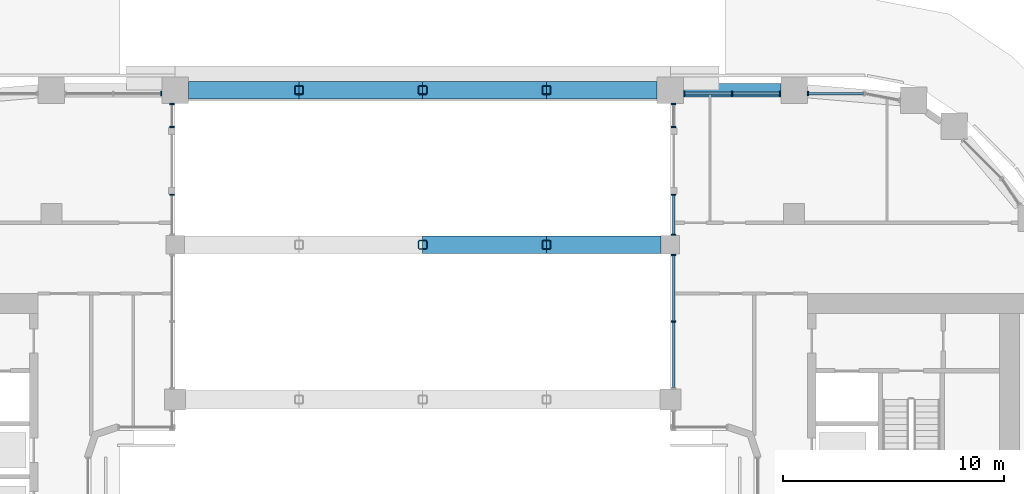
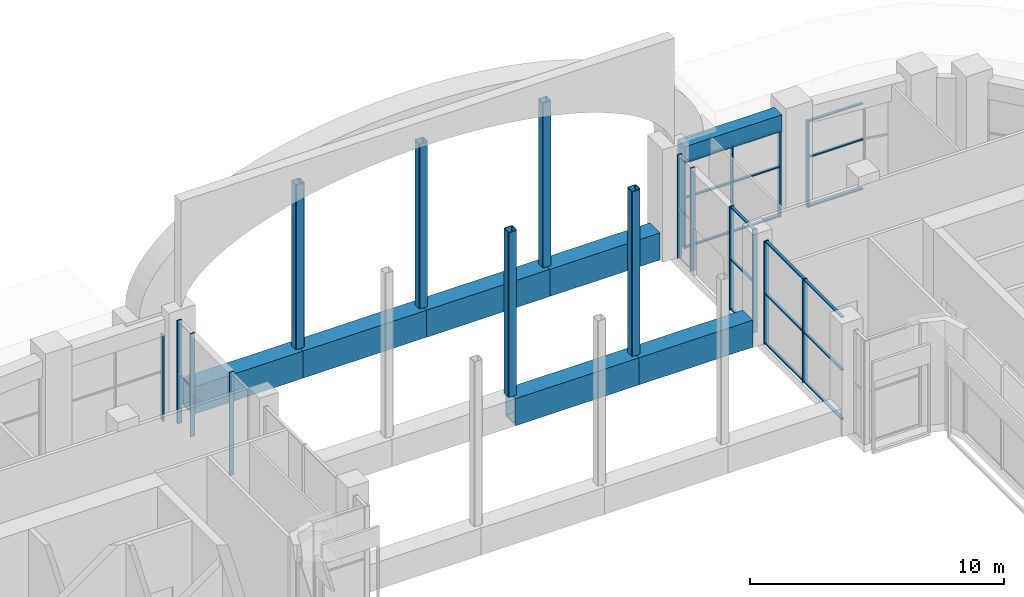
# One storey, part 9 of 28: 43 members, 1 beam, 8 elements without a shape of their own.
"""IFC4 building model written with IfcOpenShell, lengths in metres."""

from ifc_helpers import new_model, si_unit, direction, frame, origin, origin_2d, place, context, subcontext, project, spatial, rectangle, hollow_rectangle, extrude, material, layer, layer_set, material_profile, profile_set, type_object, element, aggregate, save


model = new_model("IFC4")

# Units and contexts
model_context = context("Model", 3, precision=1e-05, world=origin(), true_north=direction((0.0, 1.0)))
body_context = subcontext(model_context, "Body", "Model", "MODEL_VIEW")
ifc_project = project(units=[si_unit("LENGTHUNIT", "METRE"), si_unit("AREAUNIT", "SQUARE_METRE"), si_unit("VOLUMEUNIT", "CUBIC_METRE"), si_unit("PLANEANGLEUNIT", "RADIAN"), si_unit("MASSUNIT", "GRAM", prefix="KILO")], contexts=[model_context])

# Site, building, storey
site_placement = place(None, origin())
site = spatial("IfcSite", under=ifc_project, at=site_placement, CompositionType="ELEMENT")
building_placement = place(site_placement, origin())
building = spatial("IfcBuilding", under=site, at=building_placement, Name="Kiln Ring Residences", CompositionType="ELEMENT")
storey_placement = place(building_placement, frame((0.0, 0.0, 125.300048828125)))
storey = spatial("IfcBuildingStorey", under=building, at=storey_placement, Name="L32", CompositionType="ELEMENT", Elevation=125.300048828125)

# Members
ifc_material_1 = material(Name="Steel S460", Category="steel")
ifc_material_profile_1 = material_profile(ifc_material_1, hollow_rectangle(XDim=0.800048828125, YDim=1.300048828125, WallThickness=0.070068359375, at=origin_2d()), Name="BOX1300x800x70")
ifc_profile_set_1 = profile_set([ifc_material_profile_1], Name="Steel S460")
member_type_1 = type_object("IfcMemberType", Name="Bridge truss chord BOX1300x800x70 S460", PredefinedType="CHORD", material=ifc_profile_set_1)
member_1_placement = place(storey_placement, frame((-10.60009765625, 22.39990234375, 0.64990234375), z_axis=(1.0, 0.0, 0.0), x_axis=(0.0, 1.0, 0.0)))
element("IfcMember", 1, at=member_1_placement, inside=storey, type_object=member_type_1, Name="Bridge truss chord L32 13", PredefinedType="CHORD", context=body_context, shape_type="SweptSolid", body=[
    extrude(hollow_rectangle(XDim=0.800048828125, YDim=1.300048828125, WallThickness=0.070068359375, at=origin_2d()), origin(), (0.0, 0.0, 1.0), 5.0),
])
for number, where, z_axis, x_axis, name in (
    (2, (-5.60009765625, 22.39990234375, 0.64990234375), (1.0, 0.0, 0.0), (0.0, 1.0, 0.0), "Bridge truss chord L32 14"),
    (3, (0.0, 22.39990234375, 0.64990234375), (1.0, 0.0, 0.0), (0.0, 1.0, 0.0), "Bridge truss chord L32 15"),
):
    element("IfcMember", number, at=place(storey_placement, frame(where, z_axis=z_axis, x_axis=x_axis)), inside=storey, type_object=member_type_1, Name=name, PredefinedType="CHORD", context=body_context, shape_type="SweptSolid", body=[
        extrude(hollow_rectangle(XDim=0.800048828125, YDim=1.300048828125, WallThickness=0.070068359375, at=origin_2d()), origin(), (0.0, 0.0, 1.0), 5.60009765625),
    ])
member_2_placement = place(storey_placement, frame((5.60009765625, 22.39990234375, 0.64990234375), z_axis=(1.0, 0.0, 0.0), x_axis=(0.0, 1.0, 0.0)))
element("IfcMember", 4, at=member_2_placement, inside=storey, type_object=member_type_1, Name="Bridge truss chord L32 16", PredefinedType="CHORD", context=body_context, shape_type="SweptSolid", body=[
    extrude(hollow_rectangle(XDim=0.800048828125, YDim=1.300048828125, WallThickness=0.070068359375, at=origin_2d()), origin(), (0.0, 0.0, 1.0), 5.0),
])
member_3_placement = place(storey_placement, frame((0.0, 15.39990234375, 0.64990234375), z_axis=(1.0, 0.0, 0.0), x_axis=(0.0, 1.0, 0.0)))
element("IfcMember", 5, at=member_3_placement, inside=storey, type_object=member_type_1, Name="Bridge truss chord L32 19", PredefinedType="CHORD", context=body_context, shape_type="SweptSolid", body=[
    extrude(hollow_rectangle(XDim=0.800048828125, YDim=1.300048828125, WallThickness=0.070068359375, at=origin_2d()), origin(), (0.0, 0.0, 1.0), 5.60009765625),
])
member_4_placement = place(storey_placement, frame((5.60009765625, 15.39990234375, 0.64990234375), z_axis=(1.0, 0.0, 0.0), x_axis=(0.0, 1.0, 0.0)))
element("IfcMember", 6, at=member_4_placement, inside=storey, type_object=member_type_1, Name="Bridge truss chord L32 20", PredefinedType="CHORD", context=body_context, shape_type="SweptSolid", body=[
    extrude(hollow_rectangle(XDim=0.800048828125, YDim=1.300048828125, WallThickness=0.070068359375, at=origin_2d()), origin(), (0.0, 0.0, 1.0), 5.1748046875),
])
ifc_material_2 = material(Name="Steel S355", Category="steel")
ifc_material_profile_2 = material_profile(ifc_material_2, hollow_rectangle(XDim=0.39990234375, YDim=0.39990234375, WallThickness=0.02490234375, InnerFilletRadius=0.02490234375, OuterFilletRadius=0.0625, at=origin_2d()), Name="SHS400x400x25")
ifc_profile_set_2 = profile_set([ifc_material_profile_2], Name="Steel S355")
member_type_2 = type_object("IfcMemberType", Name="Bridge truss post SHS400x400x25 S355", PredefinedType="POST", material=ifc_profile_set_2)
for number, where, z_axis, x_axis, name in (
    (7, (-5.60009765625, 22.39990234375, 1.300048828125), (0.0, 0.0, 1.0), (1.0, 0.0, 0.0), "Bridge truss post L32 10"),
    (8, (0.0, 22.39990234375, 1.300048828125), (0.0, 0.0, 1.0), (1.0, 0.0, 0.0), "Bridge truss post L32 11"),
    (9, (5.60009765625, 22.39990234375, 1.300048828125), (0.0, 0.0, 1.0), (1.0, 0.0, 0.0), "Bridge truss post L32 12"),
    (10, (0.0, 15.39990234375, 1.300048828125), (0.0, 0.0, 1.0), (1.0, 0.0, 0.0), "Bridge truss post L32 14"),
    (11, (5.60009765625, 15.39990234375, 1.300048828125), (0.0, 0.0, 1.0), (1.0, 0.0, 0.0), "Bridge truss post L32 15"),
):
    element("IfcMember", number, at=place(storey_placement, frame(where, z_axis=z_axis, x_axis=x_axis)), inside=storey, type_object=member_type_2, Name=name, PredefinedType="POST", context=body_context, shape_type="SweptSolid", body=[
        extrude(hollow_rectangle(XDim=0.39990234375, YDim=0.39990234375, WallThickness=0.02490234375, InnerFilletRadius=0.02490234375, OuterFilletRadius=0.0625, at=origin_2d()), origin(), (0.0, 0.0, 1.0), 7.89990234375),
    ])

# Curtain wall, member
ifc_material_3 = material(Name="Aluminium and glass", Category="aluminium")
ifc_layer = layer(ifc_material_3, 0.199951171875)
ifc_layer_set = layer_set([ifc_layer], Name="CW1 CURTAIN WALL")
curtain_wall_type = type_object("IfcCurtainWallType", Name="CW1 CURTAIN WALL", PredefinedType="NOTDEFINED", material=ifc_layer_set)
placement = place(storey_placement, origin())
curtain_wall_1 = element("IfcCurtainWall", 12, at=placement, inside=storey, type_object=curtain_wall_type, Name="Curtain wall CW1 L32", PredefinedType="NOTDEFINED")
ifc_material_4 = material(Name="Aluminium 6063-T6", Category="aluminium")
ifc_material_profile_3 = material_profile(ifc_material_4, rectangle(XDim=0.199951171875, YDim=0.06005859375, at=origin_2d()), Name="AL 200x60")
ifc_profile_set_3 = profile_set([ifc_material_profile_3], Name="Aluminium 6063-T6")
member_type_3 = type_object("IfcMemberType", Name="CW1 MULLION 200 x 60", PredefinedType="MULLION", material=ifc_profile_set_3)
member_5_placement = place(storey_placement, frame((-11.35009765625, 17.669921875, 0.0), z_axis=(0.0, 0.0, 1.0), x_axis=(-1.0, 0.0, 0.0)))
member_5 = element("IfcMember", 13, at=member_5_placement, type_object=member_type_3, Name="CW1 mullion 2", PredefinedType="MULLION", context=body_context, shape_type="SweptSolid", body=[
    extrude(rectangle(XDim=0.199951171875, YDim=0.06005859375, at=origin_2d()), origin(), (0.0, 0.0, 1.0), 4.949951171875),
])
aggregate(curtain_wall_1, [member_5])

# Curtain wall, members
curtain_wall_2 = element("IfcCurtainWall", 14, at=placement, inside=storey, type_object=curtain_wall_type, Name="Curtain wall CW1 L32", PredefinedType="NOTDEFINED")
member_6_placement = place(storey_placement, frame((-11.35009765625, 20.72998046875, 0.0), z_axis=(0.0, 0.0, 1.0), x_axis=(-1.0, 0.0, 0.0)))
member_6 = element("IfcMember", 15, at=member_6_placement, type_object=member_type_3, Name="CW1 mullion 1", PredefinedType="MULLION", context=body_context, shape_type="SweptSolid", body=[
    extrude(rectangle(XDim=0.199951171875, YDim=0.06005859375, at=origin_2d()), origin(), (0.0, 0.0, 1.0), 4.949951171875),
])
member_7_placement = place(storey_placement, frame((-11.35009765625, 21.77001953125, 0.0), z_axis=(0.0, 0.0, 1.0), x_axis=(-1.0, 0.0, 0.0)))
member_7 = element("IfcMember", 16, at=member_7_placement, type_object=member_type_3, Name="CW1 mullion 2", PredefinedType="MULLION", context=body_context, shape_type="SweptSolid", body=[
    extrude(rectangle(XDim=0.199951171875, YDim=0.06005859375, at=origin_2d()), origin(), (0.0, 0.0, 1.0), 4.949951171875),
])
aggregate(curtain_wall_2, [member_6, member_7])

# Curtain wall, member
curtain_wall_3 = element("IfcCurtainWall", 17, at=placement, inside=storey, type_object=curtain_wall_type, Name="Curtain wall CW1 L32", PredefinedType="NOTDEFINED")
member_8_placement = place(storey_placement, frame((-11.830078125, 22.25, 0.0), z_axis=(0.0, 0.0, 1.0), x_axis=(0.0, -1.0, 0.0)))
member_8 = element("IfcMember", 18, at=member_8_placement, type_object=member_type_3, Name="CW1 mullion 1", PredefinedType="MULLION", context=body_context, shape_type="SweptSolid", body=[
    extrude(rectangle(XDim=0.199951171875, YDim=0.06005859375, at=origin_2d()), origin(), (0.0, 0.0, 1.0), 4.14990234375),
])
aggregate(curtain_wall_3, [member_8])

curtain_wall_4 = element("IfcCurtainWall", 19, at=placement, inside=storey, type_object=curtain_wall_type, Name="Curtain wall CW1 L32", PredefinedType="NOTDEFINED")
member_9_placement = place(storey_placement, frame((17.429931640625, 22.25, 0.0), z_axis=(0.0, 0.0, 1.0), x_axis=(0.0, -1.0, 0.0)))
member_9 = element("IfcMember", 20, at=member_9_placement, type_object=member_type_3, Name="CW1 mullion 2", PredefinedType="MULLION", context=body_context, shape_type="SweptSolid", body=[
    extrude(rectangle(XDim=0.199951171875, YDim=0.06005859375, at=origin_2d()), origin(), (0.0, 0.0, 1.0), 4.14990234375),
])

# Curtain wall, members
curtain_wall_5 = element("IfcCurtainWall", 21, at=placement, inside=storey, type_object=curtain_wall_type, Name="Curtain wall CW1 L32", PredefinedType="NOTDEFINED")
member_10_placement = place(storey_placement, frame((16.169921875, 22.25, 0.0), z_axis=(0.0, 0.0, 1.0), x_axis=(0.0, -1.0, 0.0)))
member_10 = element("IfcMember", 22, at=member_10_placement, type_object=member_type_3, Name="CW1 mullion 1", PredefinedType="MULLION", context=body_context, shape_type="SweptSolid", body=[
    extrude(rectangle(XDim=0.199951171875, YDim=0.06005859375, at=origin_2d()), origin(), (0.0, 0.0, 1.0), 4.14990234375),
])
member_11_placement = place(storey_placement, frame((14.0, 22.25, 0.0), z_axis=(0.0, 0.0, 1.0), x_axis=(0.0, -1.0, 0.0)))
member_11 = element("IfcMember", 23, at=member_11_placement, type_object=member_type_3, Name="CW1 mullion 2", PredefinedType="MULLION", context=body_context, shape_type="SweptSolid", body=[
    extrude(rectangle(XDim=0.199951171875, YDim=0.06005859375, at=origin_2d()), origin(), (0.0, 0.0, 1.0), 4.14990234375),
])
member_12_placement = place(storey_placement, frame((11.830078125, 22.25, 0.0), z_axis=(0.0, 0.0, 1.0), x_axis=(0.0, -1.0, 0.0)))
member_12 = element("IfcMember", 24, at=member_12_placement, type_object=member_type_3, Name="CW1 mullion 3", PredefinedType="MULLION", context=body_context, shape_type="SweptSolid", body=[
    extrude(rectangle(XDim=0.199951171875, YDim=0.06005859375, at=origin_2d()), origin(), (0.0, 0.0, 1.0), 4.14990234375),
])

curtain_wall_6 = element("IfcCurtainWall", 25, at=placement, inside=storey, type_object=curtain_wall_type, Name="Curtain wall CW1 L32", PredefinedType="NOTDEFINED")
member_13_placement = place(storey_placement, frame((11.35009765625, 21.77001953125, 0.0), z_axis=(0.0, 0.0, 1.0), x_axis=(1.0, 0.0, 0.0)))
member_13 = element("IfcMember", 26, at=member_13_placement, type_object=member_type_3, Name="CW1 mullion 1", PredefinedType="MULLION", context=body_context, shape_type="SweptSolid", body=[
    extrude(rectangle(XDim=0.199951171875, YDim=0.06005859375, at=origin_2d()), origin(), (0.0, 0.0, 1.0), 4.949951171875),
])
member_14_placement = place(storey_placement, frame((11.35009765625, 20.72998046875, 0.0), z_axis=(0.0, 0.0, 1.0), x_axis=(1.0, 0.0, 0.0)))
member_14 = element("IfcMember", 27, at=member_14_placement, type_object=member_type_3, Name="CW1 mullion 2", PredefinedType="MULLION", context=body_context, shape_type="SweptSolid", body=[
    extrude(rectangle(XDim=0.199951171875, YDim=0.06005859375, at=origin_2d()), origin(), (0.0, 0.0, 1.0), 4.949951171875),
])
aggregate(curtain_wall_6, [member_13, member_14])

curtain_wall_7 = element("IfcCurtainWall", 28, at=placement, inside=storey, type_object=curtain_wall_type, Name="Curtain wall CW1 L32", PredefinedType="NOTDEFINED")
member_15_placement = place(storey_placement, frame((11.35009765625, 17.669921875, 0.0), z_axis=(0.0, 0.0, 1.0), x_axis=(1.0, 0.0, 0.0)))
member_15 = element("IfcMember", 29, at=member_15_placement, type_object=member_type_3, Name="CW1 mullion 1", PredefinedType="MULLION", context=body_context, shape_type="SweptSolid", body=[
    extrude(rectangle(XDim=0.199951171875, YDim=0.06005859375, at=origin_2d()), origin(), (0.0, 0.0, 1.0), 4.949951171875),
])
member_16_placement = place(storey_placement, frame((11.35009765625, 15.85498046875, 0.0), z_axis=(0.0, 0.0, 1.0), x_axis=(1.0, 0.0, 0.0)))
member_16 = element("IfcMember", 30, at=member_16_placement, type_object=member_type_3, Name="CW1 mullion 2", PredefinedType="MULLION", context=body_context, shape_type="SweptSolid", body=[
    extrude(rectangle(XDim=0.199951171875, YDim=0.06005859375, at=origin_2d()), origin(), (0.0, 0.0, 1.0), 4.949951171875),
])

curtain_wall_8 = element("IfcCurtainWall", 31, at=placement, inside=storey, type_object=curtain_wall_type, Name="Curtain wall CW1 L32", PredefinedType="NOTDEFINED")
member_17_placement = place(storey_placement, frame((11.35009765625, 14.945068359375, 0.0), z_axis=(0.0, 0.0, 1.0), x_axis=(1.0, 0.0, 0.0)))
member_17 = element("IfcMember", 32, at=member_17_placement, type_object=member_type_3, Name="CW1 mullion 1", PredefinedType="MULLION", context=body_context, shape_type="SweptSolid", body=[
    extrude(rectangle(XDim=0.199951171875, YDim=0.06005859375, at=origin_2d()), origin(), (0.0, 0.0, 1.0), 4.949951171875),
])
member_18_placement = place(storey_placement, frame((11.35009765625, 11.925048828125, 0.0), z_axis=(0.0, 0.0, 1.0), x_axis=(1.0, 0.0, 0.0)))
member_18 = element("IfcMember", 33, at=member_18_placement, type_object=member_type_3, Name="CW1 mullion 2", PredefinedType="MULLION", context=body_context, shape_type="SweptSolid", body=[
    extrude(rectangle(XDim=0.199951171875, YDim=0.06005859375, at=origin_2d()), origin(), (0.0, 0.0, 1.0), 4.949951171875),
])

# Member
ifc_material_5 = material(Name="Aluminium 6063-T6", Category="aluminium")
ifc_material_profile_4 = material_profile(ifc_material_5, rectangle(XDim=0.1201171875, YDim=0.06005859375, at=origin_2d()), Name="AL 120x60")
ifc_profile_set_4 = profile_set([ifc_material_profile_4], Name="Aluminium 6063-T6")
member_type_4 = type_object("IfcMemberType", Name="CW1 TRANSOM 120 x 60", PredefinedType="USERDEFINED", material=ifc_profile_set_4)
member_19_placement = place(storey_placement, frame((19.93994140625, 22.25, 0.030029296875), z_axis=(-1.0, 0.0, 0.0), x_axis=(0.0, -1.0, 0.0)))
member_19 = element("IfcMember", 34, at=member_19_placement, type_object=member_type_4, Name="CW1 transom 1.1", ObjectType="TRANSOM", PredefinedType="USERDEFINED", context=body_context, shape_type="SweptSolid", body=[
    extrude(rectangle(XDim=0.1201171875, YDim=0.06005859375, at=origin_2d()), origin(), (0.0, 0.0, 1.0), 2.47998046875),
])

member_20_placement = place(storey_placement, frame((19.93994140625, 22.25, 2.39990234375), z_axis=(-1.0, 0.0, 0.0), x_axis=(0.0, -1.0, 0.0)))
member_20 = element("IfcMember", 35, at=member_20_placement, type_object=member_type_4, Name="CW1 transom 1.2", ObjectType="TRANSOM", PredefinedType="USERDEFINED", context=body_context, shape_type="SweptSolid", body=[
    extrude(rectangle(XDim=0.1201171875, YDim=0.06005859375, at=origin_2d()), origin(), (0.0, 0.0, 1.0), 2.47998046875),
])

member_21_placement = place(storey_placement, frame((19.93994140625, 22.25, 4.119873046875), z_axis=(-1.0, 0.0, 0.0), x_axis=(0.0, -1.0, 0.0)))
member_21 = element("IfcMember", 36, at=member_21_placement, type_object=member_type_4, Name="CW1 transom 1.3", ObjectType="TRANSOM", PredefinedType="USERDEFINED", context=body_context, shape_type="SweptSolid", body=[
    extrude(rectangle(XDim=0.1201171875, YDim=0.06005859375, at=origin_2d()), origin(), (0.0, 0.0, 1.0), 2.47998046875),
])

aggregate(curtain_wall_4, [member_9, member_19, member_20, member_21])

member_22_placement = place(storey_placement, frame((16.139892578125, 22.25, 0.030029296875), z_axis=(-1.0, 0.0, 0.0), x_axis=(0.0, -1.0, 0.0)))
member_22 = element("IfcMember", 37, at=member_22_placement, type_object=member_type_4, Name="CW1 transom 1.1", ObjectType="TRANSOM", PredefinedType="USERDEFINED", context=body_context, shape_type="SweptSolid", body=[
    extrude(rectangle(XDim=0.1201171875, YDim=0.06005859375, at=origin_2d()), origin(), (0.0, 0.0, 1.0), 2.10986328125),
])

member_23_placement = place(storey_placement, frame((16.139892578125, 22.25, 2.39990234375), z_axis=(-1.0, 0.0, 0.0), x_axis=(0.0, -1.0, 0.0)))
member_23 = element("IfcMember", 38, at=member_23_placement, type_object=member_type_4, Name="CW1 transom 1.2", ObjectType="TRANSOM", PredefinedType="USERDEFINED", context=body_context, shape_type="SweptSolid", body=[
    extrude(rectangle(XDim=0.1201171875, YDim=0.06005859375, at=origin_2d()), origin(), (0.0, 0.0, 1.0), 2.10986328125),
])

member_24_placement = place(storey_placement, frame((16.139892578125, 22.25, 4.119873046875), z_axis=(-1.0, 0.0, 0.0), x_axis=(0.0, -1.0, 0.0)))
member_24 = element("IfcMember", 39, at=member_24_placement, type_object=member_type_4, Name="CW1 transom 1.3", ObjectType="TRANSOM", PredefinedType="USERDEFINED", context=body_context, shape_type="SweptSolid", body=[
    extrude(rectangle(XDim=0.1201171875, YDim=0.06005859375, at=origin_2d()), origin(), (0.0, 0.0, 1.0), 2.10986328125),
])

member_25_placement = place(storey_placement, frame((13.969970703125, 22.25, 0.030029296875), z_axis=(-1.0, 0.0, 0.0), x_axis=(0.0, -1.0, 0.0)))
member_25 = element("IfcMember", 40, at=member_25_placement, type_object=member_type_4, Name="CW1 transom 2.1", ObjectType="TRANSOM", PredefinedType="USERDEFINED", context=body_context, shape_type="SweptSolid", body=[
    extrude(rectangle(XDim=0.1201171875, YDim=0.06005859375, at=origin_2d()), origin(), (0.0, 0.0, 1.0), 2.10986328125),
])

member_26_placement = place(storey_placement, frame((13.969970703125, 22.25, 2.39990234375), z_axis=(-1.0, 0.0, 0.0), x_axis=(0.0, -1.0, 0.0)))
member_26 = element("IfcMember", 41, at=member_26_placement, type_object=member_type_4, Name="CW1 transom 2.2", ObjectType="TRANSOM", PredefinedType="USERDEFINED", context=body_context, shape_type="SweptSolid", body=[
    extrude(rectangle(XDim=0.1201171875, YDim=0.06005859375, at=origin_2d()), origin(), (0.0, 0.0, 1.0), 2.10986328125),
])

member_27_placement = place(storey_placement, frame((13.969970703125, 22.25, 4.119873046875), z_axis=(-1.0, 0.0, 0.0), x_axis=(0.0, -1.0, 0.0)))
member_27 = element("IfcMember", 42, at=member_27_placement, type_object=member_type_4, Name="CW1 transom 2.3", ObjectType="TRANSOM", PredefinedType="USERDEFINED", context=body_context, shape_type="SweptSolid", body=[
    extrude(rectangle(XDim=0.1201171875, YDim=0.06005859375, at=origin_2d()), origin(), (0.0, 0.0, 1.0), 2.10986328125),
])

aggregate(curtain_wall_5, [member_10, member_11, member_12, member_22, member_23, member_24, member_25, member_26, member_27])

member_28_placement = place(storey_placement, frame((11.35009765625, 17.639892578125, 0.030029296875), z_axis=(0.0, -1.0, 0.0), x_axis=(1.0, 0.0, 0.0)))
member_28 = element("IfcMember", 43, at=member_28_placement, type_object=member_type_4, Name="CW1 transom 1.1", ObjectType="TRANSOM", PredefinedType="USERDEFINED", context=body_context, shape_type="SweptSolid", body=[
    extrude(rectangle(XDim=0.1201171875, YDim=0.06005859375, at=origin_2d()), origin(), (0.0, 0.0, 1.0), 1.7548828125),
])

member_29_placement = place(storey_placement, frame((11.35009765625, 17.639892578125, 2.39990234375), z_axis=(0.0, -1.0, 0.0), x_axis=(1.0, 0.0, 0.0)))
member_29 = element("IfcMember", 44, at=member_29_placement, type_object=member_type_4, Name="CW1 transom 1.2", ObjectType="TRANSOM", PredefinedType="USERDEFINED", context=body_context, shape_type="SweptSolid", body=[
    extrude(rectangle(XDim=0.1201171875, YDim=0.06005859375, at=origin_2d()), origin(), (0.0, 0.0, 1.0), 1.7548828125),
])

member_30_placement = place(storey_placement, frame((11.35009765625, 17.639892578125, 4.919921875), z_axis=(0.0, -1.0, 0.0), x_axis=(1.0, 0.0, 0.0)))
member_30 = element("IfcMember", 45, at=member_30_placement, type_object=member_type_4, Name="CW1 transom 1.3", ObjectType="TRANSOM", PredefinedType="USERDEFINED", context=body_context, shape_type="SweptSolid", body=[
    extrude(rectangle(XDim=0.1201171875, YDim=0.06005859375, at=origin_2d()), origin(), (0.0, 0.0, 1.0), 1.7548828125),
])

aggregate(curtain_wall_7, [member_15, member_16, member_28, member_29, member_30])

member_31_placement = place(storey_placement, frame((11.35009765625, 14.9150390625, 0.030029296875), z_axis=(0.0, -1.0, 0.0), x_axis=(1.0, 0.0, 0.0)))
member_31 = element("IfcMember", 46, at=member_31_placement, type_object=member_type_4, Name="CW1 transom 1.1", ObjectType="TRANSOM", PredefinedType="USERDEFINED", context=body_context, shape_type="SweptSolid", body=[
    extrude(rectangle(XDim=0.1201171875, YDim=0.06005859375, at=origin_2d()), origin(), (0.0, 0.0, 1.0), 2.9599609375),
])

member_32_placement = place(storey_placement, frame((11.35009765625, 14.9150390625, 2.39990234375), z_axis=(0.0, -1.0, 0.0), x_axis=(1.0, 0.0, 0.0)))
member_32 = element("IfcMember", 47, at=member_32_placement, type_object=member_type_4, Name="CW1 transom 1.2", ObjectType="TRANSOM", PredefinedType="USERDEFINED", context=body_context, shape_type="SweptSolid", body=[
    extrude(rectangle(XDim=0.1201171875, YDim=0.06005859375, at=origin_2d()), origin(), (0.0, 0.0, 1.0), 2.9599609375),
])

member_33_placement = place(storey_placement, frame((11.35009765625, 14.9150390625, 4.919921875), z_axis=(0.0, -1.0, 0.0), x_axis=(1.0, 0.0, 0.0)))
member_33 = element("IfcMember", 48, at=member_33_placement, type_object=member_type_4, Name="CW1 transom 1.3", ObjectType="TRANSOM", PredefinedType="USERDEFINED", context=body_context, shape_type="SweptSolid", body=[
    extrude(rectangle(XDim=0.1201171875, YDim=0.06005859375, at=origin_2d()), origin(), (0.0, 0.0, 1.0), 2.9599609375),
])

member_34_placement = place(storey_placement, frame((11.35009765625, 11.89501953125, 0.030029296875), z_axis=(0.0, -1.0, 0.0), x_axis=(1.0, 0.0, 0.0)))
member_34 = element("IfcMember", 49, at=member_34_placement, type_object=member_type_4, Name="CW1 transom 2.1", ObjectType="TRANSOM", PredefinedType="USERDEFINED", context=body_context, shape_type="SweptSolid", body=[
    extrude(rectangle(XDim=0.1201171875, YDim=0.06005859375, at=origin_2d()), origin(), (0.0, 0.0, 1.0), 2.9599609375),
])

member_35_placement = place(storey_placement, frame((11.35009765625, 11.89501953125, 2.39990234375), z_axis=(0.0, -1.0, 0.0), x_axis=(1.0, 0.0, 0.0)))
member_35 = element("IfcMember", 50, at=member_35_placement, type_object=member_type_4, Name="CW1 transom 2.2", ObjectType="TRANSOM", PredefinedType="USERDEFINED", context=body_context, shape_type="SweptSolid", body=[
    extrude(rectangle(XDim=0.1201171875, YDim=0.06005859375, at=origin_2d()), origin(), (0.0, 0.0, 1.0), 2.9599609375),
])

member_36_placement = place(storey_placement, frame((11.35009765625, 11.89501953125, 4.919921875), z_axis=(0.0, -1.0, 0.0), x_axis=(1.0, 0.0, 0.0)))
member_36 = element("IfcMember", 51, at=member_36_placement, type_object=member_type_4, Name="CW1 transom 2.3", ObjectType="TRANSOM", PredefinedType="USERDEFINED", context=body_context, shape_type="SweptSolid", body=[
    extrude(rectangle(XDim=0.1201171875, YDim=0.06005859375, at=origin_2d()), origin(), (0.0, 0.0, 1.0), 2.9599609375),
])

aggregate(curtain_wall_8, [member_17, member_18, member_31, member_32, member_33, member_34, member_35, member_36])

# Beam
ifc_material_6 = material(Name="Concrete C50/60", Category="concrete")
ifc_material_profile_5 = material_profile(ifc_material_6, rectangle(XDim=0.60009765625, YDim=0.800048828125, at=origin_2d()), Name="RC600x800")
ifc_profile_set_5 = profile_set([ifc_material_profile_5], Name="Concrete C50/60")
beam_type = type_object("IfcBeamType", Name="Spandrel beam RC600x800 C50/60", PredefinedType="SPANDREL", material=ifc_profile_set_5)
beam_placement = place(storey_placement, frame((16.199951171875, 22.39990234375, 4.550048828125), z_axis=(-1.0, 0.0, 0.0), x_axis=(0.0, -1.0, 0.0)))
element("IfcBeam", 52, at=beam_placement, inside=storey, type_object=beam_type, Name="Spandrel beam L32 14", PredefinedType="SPANDREL", context=body_context, shape_type="SweptSolid", body=[
    extrude(rectangle(XDim=0.60009765625, YDim=0.800048828125, at=origin_2d()), origin(), (0.0, 0.0, 1.0), 4.39990234375),
])

save(model, "model.ifc")
